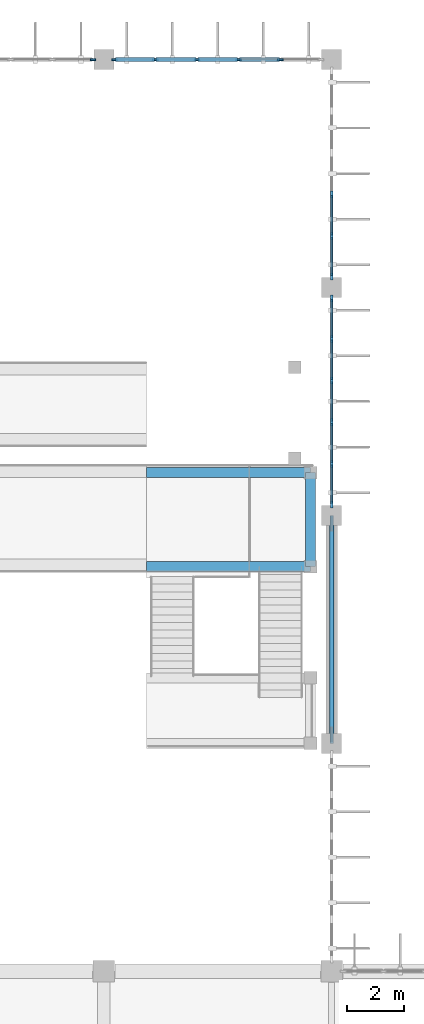
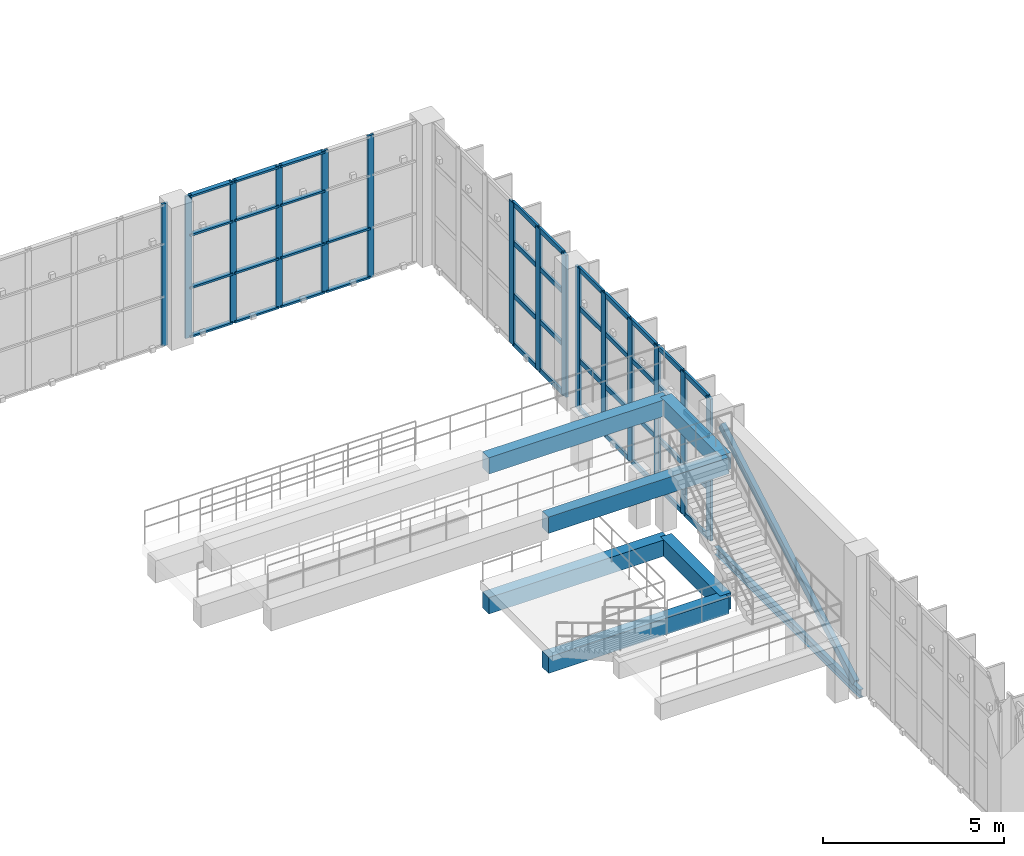
# One storey, part 34 of 93: 58 members, 7 beams, 4 elements without a shape of their own.
"""IFC4 building model written with IfcOpenShell, lengths in metres."""

from ifc_helpers import new_model, si_unit, direction, frame, origin, origin_2d, place, context, subcontext, project, spatial, rectangle, hollow_rectangle, i_section, extrude, material, layer, layer_set, material_profile, profile_set, type_object, element, aggregate, save


model = new_model("IFC4")

# Units and contexts
model_context = context("Model", 3, precision=1e-05, world=origin(), true_north=direction((0.0, 1.0)))
body_context = subcontext(model_context, "Body", "Model", "MODEL_VIEW")
ifc_project = project(units=[si_unit("LENGTHUNIT", "METRE"), si_unit("AREAUNIT", "SQUARE_METRE"), si_unit("VOLUMEUNIT", "CUBIC_METRE"), si_unit("PLANEANGLEUNIT", "RADIAN"), si_unit("MASSUNIT", "GRAM", prefix="KILO")], contexts=[model_context])

# Site, building, storey
site_placement = place(None, origin())
site = spatial("IfcSite", under=ifc_project, at=site_placement, CompositionType="ELEMENT")
building_placement = place(site_placement, origin())
building = spatial("IfcBuilding", under=site, at=building_placement, Name="Drelvana Railside Aquatics Centre", CompositionType="ELEMENT")
storey_placement = place(building_placement, frame((0.0, 0.0, 5.39990234375)))
storey = spatial("IfcBuildingStorey", under=building, at=storey_placement, Name="L01", CompositionType="ELEMENT", Elevation=5.39990234375)

# Curtain wall, member
ifc_material_1 = material(Name="Bronze-anodised aluminium curtain wall", Category="aluminium")
ifc_layer_1 = layer(ifc_material_1, 0.179931640625, Name="Bronze-anodised aluminium curtain wall")
ifc_layer_set_1 = layer_set([ifc_layer_1], Name="Bronze-anodised aluminium curtain wall")
curtain_wall_type_1 = type_object("IfcCurtainWallType", Name="CW-Z2-CLER", PredefinedType="NOTDEFINED", material=ifc_layer_set_1)
curtain_wall_1_placement = place(storey_placement, origin())
curtain_wall_1 = element("IfcCurtainWall", 1, at=curtain_wall_1_placement, inside=storey, type_object=curtain_wall_type_1, Name="Curtain wall CW-02-038", PredefinedType="NOTDEFINED")
ifc_material_2 = material(Name="Bronze-anodised aluminium 6063-T6", Category="aluminium")
ifc_material_profile_1 = material_profile(ifc_material_2, rectangle(XDim=0.070068359375, YDim=0.199951171875, at=origin_2d()), Name="ALU-M 70x200")
ifc_profile_set_1 = profile_set([ifc_material_profile_1], Name="Bronze-anodised aluminium 6063-T6")
member_type_1 = type_object("IfcMemberType", Name="CW-Z2-CLER-MUL", PredefinedType="MULLION", material=ifc_profile_set_1)
member_1_placement = place(storey_placement, frame((63.62109375, 116.0, -0.005859375), z_axis=(0.0, 0.0, 1.0), x_axis=(0.0, 1.0, 0.0)))
member_1 = element("IfcMember", 2, at=member_1_placement, type_object=member_type_1, Name="CW-02 mullion 6", PredefinedType="MULLION", context=body_context, shape_type="SweptSolid", body=[
    extrude(rectangle(XDim=0.070068359375, YDim=0.199951171875, at=origin_2d()), origin(), (0.0, 0.0, 1.0), 4.7958984375),
])
aggregate(curtain_wall_1, [member_1])

# Curtain wall, members
curtain_wall_2_placement = place(storey_placement, origin())
curtain_wall_2 = element("IfcCurtainWall", 3, at=curtain_wall_2_placement, inside=storey, type_object=curtain_wall_type_1, Name="Curtain wall CW-02-040", PredefinedType="NOTDEFINED")
member_2_placement = place(storey_placement, frame((64.37890625, 116.0, -0.005859375), z_axis=(0.0, 0.0, 1.0), x_axis=(0.0, 1.0, 0.0)))
member_2 = element("IfcMember", 4, at=member_2_placement, type_object=member_type_1, Name="CW-02 mullion 1", PredefinedType="MULLION", context=body_context, shape_type="SweptSolid", body=[
    extrude(rectangle(XDim=0.070068359375, YDim=0.199951171875, at=origin_2d()), origin(), (0.0, 0.0, 1.0), 4.7958984375),
])
member_3_placement = place(storey_placement, frame((65.806396484375, 116.0, -0.005859375), z_axis=(0.0, 0.0, 1.0), x_axis=(0.0, 1.0, 0.0)))
member_3 = element("IfcMember", 5, at=member_3_placement, type_object=member_type_1, Name="CW-02 mullion 2", PredefinedType="MULLION", context=body_context, shape_type="SweptSolid", body=[
    extrude(rectangle(XDim=0.070068359375, YDim=0.199951171875, at=origin_2d()), origin(), (0.0, 0.0, 1.0), 4.7958984375),
])
member_4_placement = place(storey_placement, frame((67.268798828125, 116.0, -0.005859375), z_axis=(0.0, 0.0, 1.0), x_axis=(0.0, 1.0, 0.0)))
member_4 = element("IfcMember", 6, at=member_4_placement, type_object=member_type_1, Name="CW-02 mullion 3", PredefinedType="MULLION", context=body_context, shape_type="SweptSolid", body=[
    extrude(rectangle(XDim=0.070068359375, YDim=0.199951171875, at=origin_2d()), origin(), (0.0, 0.0, 1.0), 4.7958984375),
])
member_5_placement = place(storey_placement, frame((68.731201171875, 116.0, -0.005859375), z_axis=(0.0, 0.0, 1.0), x_axis=(0.0, 1.0, 0.0)))
member_5 = element("IfcMember", 7, at=member_5_placement, type_object=member_type_1, Name="CW-02 mullion 4", PredefinedType="MULLION", context=body_context, shape_type="SweptSolid", body=[
    extrude(rectangle(XDim=0.070068359375, YDim=0.199951171875, at=origin_2d()), origin(), (0.0, 0.0, 1.0), 4.7958984375),
])
member_6_placement = place(storey_placement, frame((70.193603515625, 116.0, -0.005859375), z_axis=(0.0, 0.0, 1.0), x_axis=(0.0, 1.0, 0.0)))
member_6 = element("IfcMember", 8, at=member_6_placement, type_object=member_type_1, Name="CW-02 mullion 5", PredefinedType="MULLION", context=body_context, shape_type="SweptSolid", body=[
    extrude(rectangle(XDim=0.070068359375, YDim=0.199951171875, at=origin_2d()), origin(), (0.0, 0.0, 1.0), 4.7958984375),
])
ifc_material_profile_2 = material_profile(ifc_material_2, rectangle(XDim=0.139892578125, YDim=0.06494140625, at=origin_2d()), Name="ALU-T 65x140")
ifc_profile_set_2 = profile_set([ifc_material_profile_2], Name="Bronze-anodised aluminium 6063-T6")
member_type_2 = type_object("IfcMemberType", Name="CW-Z2-CLER-TRN", PredefinedType="USERDEFINED", material=ifc_profile_set_2)
member_7_placement = place(storey_placement, frame((64.408935546875, 116.0, 0.026611328125), z_axis=(1.0, 0.0, 0.0), x_axis=(0.0, 1.0, 0.0)))
member_7 = element("IfcMember", 9, at=member_7_placement, type_object=member_type_2, Name="CW-02 transom 1.1", ObjectType="TRANSOM", PredefinedType="USERDEFINED", context=body_context, shape_type="SweptSolid", body=[
    extrude(rectangle(XDim=0.139892578125, YDim=0.06494140625, at=origin_2d()), origin(), (0.0, 0.0, 1.0), 1.367431640625),
])
member_8_placement = place(storey_placement, frame((64.408935546875, 116.0, 1.673095703125), z_axis=(1.0, 0.0, 0.0), x_axis=(0.0, 1.0, 0.0)))
member_8 = element("IfcMember", 10, at=member_8_placement, type_object=member_type_2, Name="CW-02 transom 1.2", ObjectType="TRANSOM", PredefinedType="USERDEFINED", context=body_context, shape_type="SweptSolid", body=[
    extrude(rectangle(XDim=0.139892578125, YDim=0.06494140625, at=origin_2d()), origin(), (0.0, 0.0, 1.0), 1.367431640625),
])
member_9_placement = place(storey_placement, frame((64.408935546875, 116.0, 3.447021484375), z_axis=(1.0, 0.0, 0.0), x_axis=(0.0, 1.0, 0.0)))
member_9 = element("IfcMember", 11, at=member_9_placement, type_object=member_type_2, Name="CW-02 transom 1.3", ObjectType="TRANSOM", PredefinedType="USERDEFINED", context=body_context, shape_type="SweptSolid", body=[
    extrude(rectangle(XDim=0.139892578125, YDim=0.06494140625, at=origin_2d()), origin(), (0.0, 0.0, 1.0), 1.367431640625),
])
member_10_placement = place(storey_placement, frame((64.408935546875, 116.0, 4.757568359375), z_axis=(1.0, 0.0, 0.0), x_axis=(0.0, 1.0, 0.0)))
member_10 = element("IfcMember", 12, at=member_10_placement, type_object=member_type_2, Name="CW-02 transom 1.4", ObjectType="TRANSOM", PredefinedType="USERDEFINED", context=body_context, shape_type="SweptSolid", body=[
    extrude(rectangle(XDim=0.139892578125, YDim=0.06494140625, at=origin_2d()), origin(), (0.0, 0.0, 1.0), 1.367431640625),
])
member_11_placement = place(storey_placement, frame((65.83642578125, 116.0, 0.026611328125), z_axis=(1.0, 0.0, 0.0), x_axis=(0.0, 1.0, 0.0)))
member_11 = element("IfcMember", 13, at=member_11_placement, type_object=member_type_2, Name="CW-02 transom 2.1", ObjectType="TRANSOM", PredefinedType="USERDEFINED", context=body_context, shape_type="SweptSolid", body=[
    extrude(rectangle(XDim=0.139892578125, YDim=0.06494140625, at=origin_2d()), origin(), (0.0, 0.0, 1.0), 1.40234375),
])
member_12_placement = place(storey_placement, frame((65.83642578125, 116.0, 1.673095703125), z_axis=(1.0, 0.0, 0.0), x_axis=(0.0, 1.0, 0.0)))
member_12 = element("IfcMember", 14, at=member_12_placement, type_object=member_type_2, Name="CW-02 transom 2.2", ObjectType="TRANSOM", PredefinedType="USERDEFINED", context=body_context, shape_type="SweptSolid", body=[
    extrude(rectangle(XDim=0.139892578125, YDim=0.06494140625, at=origin_2d()), origin(), (0.0, 0.0, 1.0), 1.40234375),
])
member_13_placement = place(storey_placement, frame((65.83642578125, 116.0, 3.447021484375), z_axis=(1.0, 0.0, 0.0), x_axis=(0.0, 1.0, 0.0)))
member_13 = element("IfcMember", 15, at=member_13_placement, type_object=member_type_2, Name="CW-02 transom 2.3", ObjectType="TRANSOM", PredefinedType="USERDEFINED", context=body_context, shape_type="SweptSolid", body=[
    extrude(rectangle(XDim=0.139892578125, YDim=0.06494140625, at=origin_2d()), origin(), (0.0, 0.0, 1.0), 1.40234375),
])
member_14_placement = place(storey_placement, frame((65.83642578125, 116.0, 4.757568359375), z_axis=(1.0, 0.0, 0.0), x_axis=(0.0, 1.0, 0.0)))
member_14 = element("IfcMember", 16, at=member_14_placement, type_object=member_type_2, Name="CW-02 transom 2.4", ObjectType="TRANSOM", PredefinedType="USERDEFINED", context=body_context, shape_type="SweptSolid", body=[
    extrude(rectangle(XDim=0.139892578125, YDim=0.06494140625, at=origin_2d()), origin(), (0.0, 0.0, 1.0), 1.40234375),
])
member_15_placement = place(storey_placement, frame((67.298828125, 116.0, 0.026611328125), z_axis=(1.0, 0.0, 0.0), x_axis=(0.0, 1.0, 0.0)))
member_15 = element("IfcMember", 17, at=member_15_placement, type_object=member_type_2, Name="CW-02 transom 3.1", ObjectType="TRANSOM", PredefinedType="USERDEFINED", context=body_context, shape_type="SweptSolid", body=[
    extrude(rectangle(XDim=0.139892578125, YDim=0.06494140625, at=origin_2d()), origin(), (0.0, 0.0, 1.0), 1.40234375),
])
member_16_placement = place(storey_placement, frame((67.298828125, 116.0, 1.673095703125), z_axis=(1.0, 0.0, 0.0), x_axis=(0.0, 1.0, 0.0)))
member_16 = element("IfcMember", 18, at=member_16_placement, type_object=member_type_2, Name="CW-02 transom 3.2", ObjectType="TRANSOM", PredefinedType="USERDEFINED", context=body_context, shape_type="SweptSolid", body=[
    extrude(rectangle(XDim=0.139892578125, YDim=0.06494140625, at=origin_2d()), origin(), (0.0, 0.0, 1.0), 1.40234375),
])
member_17_placement = place(storey_placement, frame((67.298828125, 116.0, 3.447021484375), z_axis=(1.0, 0.0, 0.0), x_axis=(0.0, 1.0, 0.0)))
member_17 = element("IfcMember", 19, at=member_17_placement, type_object=member_type_2, Name="CW-02 transom 3.3", ObjectType="TRANSOM", PredefinedType="USERDEFINED", context=body_context, shape_type="SweptSolid", body=[
    extrude(rectangle(XDim=0.139892578125, YDim=0.06494140625, at=origin_2d()), origin(), (0.0, 0.0, 1.0), 1.40234375),
])
member_18_placement = place(storey_placement, frame((67.298828125, 116.0, 4.757568359375), z_axis=(1.0, 0.0, 0.0), x_axis=(0.0, 1.0, 0.0)))
member_18 = element("IfcMember", 20, at=member_18_placement, type_object=member_type_2, Name="CW-02 transom 3.4", ObjectType="TRANSOM", PredefinedType="USERDEFINED", context=body_context, shape_type="SweptSolid", body=[
    extrude(rectangle(XDim=0.139892578125, YDim=0.06494140625, at=origin_2d()), origin(), (0.0, 0.0, 1.0), 1.40234375),
])
member_19_placement = place(storey_placement, frame((68.76123046875, 116.0, 0.026611328125), z_axis=(1.0, 0.0, 0.0), x_axis=(0.0, 1.0, 0.0)))
member_19 = element("IfcMember", 21, at=member_19_placement, type_object=member_type_2, Name="CW-02 transom 4.1", ObjectType="TRANSOM", PredefinedType="USERDEFINED", context=body_context, shape_type="SweptSolid", body=[
    extrude(rectangle(XDim=0.139892578125, YDim=0.06494140625, at=origin_2d()), origin(), (0.0, 0.0, 1.0), 1.40234375),
])
member_20_placement = place(storey_placement, frame((68.76123046875, 116.0, 1.673095703125), z_axis=(1.0, 0.0, 0.0), x_axis=(0.0, 1.0, 0.0)))
member_20 = element("IfcMember", 22, at=member_20_placement, type_object=member_type_2, Name="CW-02 transom 4.2", ObjectType="TRANSOM", PredefinedType="USERDEFINED", context=body_context, shape_type="SweptSolid", body=[
    extrude(rectangle(XDim=0.139892578125, YDim=0.06494140625, at=origin_2d()), origin(), (0.0, 0.0, 1.0), 1.40234375),
])
aggregate(curtain_wall_2, [member_2, member_3, member_4, member_5, member_6, member_7, member_8, member_9, member_10, member_11, member_12, member_13, member_14, member_15, member_16, member_17, member_18, member_19, member_20])

ifc_layer_2 = layer(ifc_material_1, 0.2099609375, Name="Bronze-anodised aluminium curtain wall")
ifc_layer_set_2 = layer_set([ifc_layer_2], Name="Bronze-anodised aluminium curtain wall")
curtain_wall_type_2 = type_object("IfcCurtainWallType", Name="CW-Z7-DIVE", PredefinedType="NOTDEFINED", material=ifc_layer_set_2)
curtain_wall_3_placement = place(storey_placement, origin())
curtain_wall_3 = element("IfcCurtainWall", 23, at=curtain_wall_3_placement, inside=storey, type_object=curtain_wall_type_2, Name="Curtain wall CW-07-094", PredefinedType="NOTDEFINED")
ifc_material_profile_3 = material_profile(ifc_material_2, rectangle(XDim=0.080078125, YDim=0.25, at=origin_2d()), Name="ALU-M 80x250")
ifc_profile_set_3 = profile_set([ifc_material_profile_3], Name="Bronze-anodised aluminium 6063-T6")
member_type_3 = type_object("IfcMemberType", Name="CW-Z7-DIVE-MUL", PredefinedType="MULLION", material=ifc_profile_set_3)
member_21_placement = place(storey_placement, frame((72.0, 100.384033203125, -0.005859375), z_axis=(0.0, 0.0, 1.0), x_axis=(-1.0, 0.0, 0.0)))
member_21 = element("IfcMember", 24, at=member_21_placement, type_object=member_type_3, Name="CW-07 mullion 1", PredefinedType="MULLION", context=body_context, shape_type="SweptSolid", body=[
    extrude(rectangle(XDim=0.080078125, YDim=0.25, at=origin_2d()), origin(), (0.0, 0.0, 1.0), 4.7958984375),
])
member_22_placement = place(storey_placement, frame((72.0, 101.806396484375, -0.005859375), z_axis=(0.0, 0.0, 1.0), x_axis=(-1.0, 0.0, 0.0)))
member_22 = element("IfcMember", 25, at=member_22_placement, type_object=member_type_3, Name="CW-07 mullion 2", PredefinedType="MULLION", context=body_context, shape_type="SweptSolid", body=[
    extrude(rectangle(XDim=0.080078125, YDim=0.25, at=origin_2d()), origin(), (0.0, 0.0, 1.0), 4.7958984375),
])
member_23_placement = place(storey_placement, frame((72.0, 103.268798828125, -0.005859375), z_axis=(0.0, 0.0, 1.0), x_axis=(-1.0, 0.0, 0.0)))
member_23 = element("IfcMember", 26, at=member_23_placement, type_object=member_type_3, Name="CW-07 mullion 3", PredefinedType="MULLION", context=body_context, shape_type="SweptSolid", body=[
    extrude(rectangle(XDim=0.080078125, YDim=0.25, at=origin_2d()), origin(), (0.0, 0.0, 1.0), 4.7958984375),
])
member_24_placement = place(storey_placement, frame((72.0, 104.731201171875, -0.005859375), z_axis=(0.0, 0.0, 1.0), x_axis=(-1.0, 0.0, 0.0)))
member_24 = element("IfcMember", 27, at=member_24_placement, type_object=member_type_3, Name="CW-07 mullion 4", PredefinedType="MULLION", context=body_context, shape_type="SweptSolid", body=[
    extrude(rectangle(XDim=0.080078125, YDim=0.25, at=origin_2d()), origin(), (0.0, 0.0, 1.0), 4.7958984375),
])
member_25_placement = place(storey_placement, frame((72.0, 106.193603515625, -0.005859375), z_axis=(0.0, 0.0, 1.0), x_axis=(-1.0, 0.0, 0.0)))
member_25 = element("IfcMember", 28, at=member_25_placement, type_object=member_type_3, Name="CW-07 mullion 5", PredefinedType="MULLION", context=body_context, shape_type="SweptSolid", body=[
    extrude(rectangle(XDim=0.080078125, YDim=0.25, at=origin_2d()), origin(), (0.0, 0.0, 1.0), 4.7958984375),
])
member_26_placement = place(storey_placement, frame((72.0, 107.615966796875, -0.005859375), z_axis=(0.0, 0.0, 1.0), x_axis=(-1.0, 0.0, 0.0)))
member_26 = element("IfcMember", 29, at=member_26_placement, type_object=member_type_3, Name="CW-07 mullion 6", PredefinedType="MULLION", context=body_context, shape_type="SweptSolid", body=[
    extrude(rectangle(XDim=0.080078125, YDim=0.25, at=origin_2d()), origin(), (0.0, 0.0, 1.0), 4.7958984375),
])

curtain_wall_4_placement = place(storey_placement, origin())
curtain_wall_4 = element("IfcCurtainWall", 30, at=curtain_wall_4_placement, inside=storey, type_object=curtain_wall_type_2, Name="Curtain wall CW-07-097", PredefinedType="NOTDEFINED")
member_27_placement = place(storey_placement, frame((72.0, 108.384033203125, -0.005859375), z_axis=(0.0, 0.0, 1.0), x_axis=(-1.0, 0.0, 0.0)))
member_27 = element("IfcMember", 31, at=member_27_placement, type_object=member_type_3, Name="CW-07 mullion 1", PredefinedType="MULLION", context=body_context, shape_type="SweptSolid", body=[
    extrude(rectangle(XDim=0.080078125, YDim=0.25, at=origin_2d()), origin(), (0.0, 0.0, 1.0), 4.7958984375),
])
member_28_placement = place(storey_placement, frame((72.0, 109.806396484375, -0.005859375), z_axis=(0.0, 0.0, 1.0), x_axis=(-1.0, 0.0, 0.0)))
member_28 = element("IfcMember", 32, at=member_28_placement, type_object=member_type_3, Name="CW-07 mullion 2", PredefinedType="MULLION", context=body_context, shape_type="SweptSolid", body=[
    extrude(rectangle(XDim=0.080078125, YDim=0.25, at=origin_2d()), origin(), (0.0, 0.0, 1.0), 4.7958984375),
])
member_29_placement = place(storey_placement, frame((72.0, 111.268798828125, -0.005859375), z_axis=(0.0, 0.0, 1.0), x_axis=(-1.0, 0.0, 0.0)))
member_29 = element("IfcMember", 33, at=member_29_placement, type_object=member_type_3, Name="CW-07 mullion 3", PredefinedType="MULLION", context=body_context, shape_type="SweptSolid", body=[
    extrude(rectangle(XDim=0.080078125, YDim=0.25, at=origin_2d()), origin(), (0.0, 0.0, 1.0), 4.7958984375),
])

# Member
ifc_material_profile_4 = material_profile(ifc_material_2, rectangle(XDim=0.159912109375, YDim=0.070068359375, at=origin_2d()), Name="ALU-T 70x160")
ifc_profile_set_4 = profile_set([ifc_material_profile_4], Name="Bronze-anodised aluminium 6063-T6")
member_type_4 = type_object("IfcMemberType", Name="CW-Z7-DIVE-TRN", PredefinedType="USERDEFINED", material=ifc_profile_set_4)
member_30_placement = place(storey_placement, frame((72.0, 100.4189453125, 0.029052734375), z_axis=(0.0, 1.0, 0.0), x_axis=(0.0, 0.0, 1.0)))
member_30 = element("IfcMember", 34, at=member_30_placement, type_object=member_type_4, Name="CW-07 transom 1.1", ObjectType="TRANSOM", PredefinedType="USERDEFINED", context=body_context, shape_type="SweptSolid", body=[
    extrude(rectangle(XDim=0.159912109375, YDim=0.070068359375, at=origin_2d()), origin(), (0.0, 0.0, 1.0), 1.3525390625),
])

member_31_placement = place(storey_placement, frame((72.0, 100.4189453125, 1.673095703125), z_axis=(0.0, 1.0, 0.0), x_axis=(0.0, 0.0, 1.0)))
member_31 = element("IfcMember", 35, at=member_31_placement, type_object=member_type_4, Name="CW-07 transom 1.2", ObjectType="TRANSOM", PredefinedType="USERDEFINED", context=body_context, shape_type="SweptSolid", body=[
    extrude(rectangle(XDim=0.159912109375, YDim=0.070068359375, at=origin_2d()), origin(), (0.0, 0.0, 1.0), 1.3525390625),
])

member_32_placement = place(storey_placement, frame((72.0, 100.4189453125, 3.447021484375), z_axis=(0.0, 1.0, 0.0), x_axis=(0.0, 0.0, 1.0)))
member_32 = element("IfcMember", 36, at=member_32_placement, type_object=member_type_4, Name="CW-07 transom 1.3", ObjectType="TRANSOM", PredefinedType="USERDEFINED", context=body_context, shape_type="SweptSolid", body=[
    extrude(rectangle(XDim=0.159912109375, YDim=0.070068359375, at=origin_2d()), origin(), (0.0, 0.0, 1.0), 1.3525390625),
])

member_33_placement = place(storey_placement, frame((72.0, 100.4189453125, 4.755126953125), z_axis=(0.0, 1.0, 0.0), x_axis=(0.0, 0.0, 1.0)))
member_33 = element("IfcMember", 37, at=member_33_placement, type_object=member_type_4, Name="CW-07 transom 1.4", ObjectType="TRANSOM", PredefinedType="USERDEFINED", context=body_context, shape_type="SweptSolid", body=[
    extrude(rectangle(XDim=0.159912109375, YDim=0.070068359375, at=origin_2d()), origin(), (0.0, 0.0, 1.0), 1.3525390625),
])

member_34_placement = place(storey_placement, frame((72.0, 101.84130859375, 0.029052734375), z_axis=(0.0, 1.0, 0.0), x_axis=(0.0, 0.0, 1.0)))
member_34 = element("IfcMember", 38, at=member_34_placement, type_object=member_type_4, Name="CW-07 transom 2.1", ObjectType="TRANSOM", PredefinedType="USERDEFINED", context=body_context, shape_type="SweptSolid", body=[
    extrude(rectangle(XDim=0.159912109375, YDim=0.070068359375, at=origin_2d()), origin(), (0.0, 0.0, 1.0), 1.392578125),
])

member_35_placement = place(storey_placement, frame((72.0, 101.84130859375, 1.673095703125), z_axis=(0.0, 1.0, 0.0), x_axis=(0.0, 0.0, 1.0)))
member_35 = element("IfcMember", 39, at=member_35_placement, type_object=member_type_4, Name="CW-07 transom 2.2", ObjectType="TRANSOM", PredefinedType="USERDEFINED", context=body_context, shape_type="SweptSolid", body=[
    extrude(rectangle(XDim=0.159912109375, YDim=0.070068359375, at=origin_2d()), origin(), (0.0, 0.0, 1.0), 1.392578125),
])

member_36_placement = place(storey_placement, frame((72.0, 101.84130859375, 3.447021484375), z_axis=(0.0, 1.0, 0.0), x_axis=(0.0, 0.0, 1.0)))
member_36 = element("IfcMember", 40, at=member_36_placement, type_object=member_type_4, Name="CW-07 transom 2.3", ObjectType="TRANSOM", PredefinedType="USERDEFINED", context=body_context, shape_type="SweptSolid", body=[
    extrude(rectangle(XDim=0.159912109375, YDim=0.070068359375, at=origin_2d()), origin(), (0.0, 0.0, 1.0), 1.392578125),
])

member_37_placement = place(storey_placement, frame((72.0, 101.84130859375, 4.755126953125), z_axis=(0.0, 1.0, 0.0), x_axis=(0.0, 0.0, 1.0)))
member_37 = element("IfcMember", 41, at=member_37_placement, type_object=member_type_4, Name="CW-07 transom 2.4", ObjectType="TRANSOM", PredefinedType="USERDEFINED", context=body_context, shape_type="SweptSolid", body=[
    extrude(rectangle(XDim=0.159912109375, YDim=0.070068359375, at=origin_2d()), origin(), (0.0, 0.0, 1.0), 1.392578125),
])

member_38_placement = place(storey_placement, frame((72.0, 103.3037109375, 0.029052734375), z_axis=(0.0, 1.0, 0.0), x_axis=(0.0, 0.0, 1.0)))
member_38 = element("IfcMember", 42, at=member_38_placement, type_object=member_type_4, Name="CW-07 transom 3.1", ObjectType="TRANSOM", PredefinedType="USERDEFINED", context=body_context, shape_type="SweptSolid", body=[
    extrude(rectangle(XDim=0.159912109375, YDim=0.070068359375, at=origin_2d()), origin(), (0.0, 0.0, 1.0), 1.392578125),
])

member_39_placement = place(storey_placement, frame((72.0, 103.3037109375, 1.673095703125), z_axis=(0.0, 1.0, 0.0), x_axis=(0.0, 0.0, 1.0)))
member_39 = element("IfcMember", 43, at=member_39_placement, type_object=member_type_4, Name="CW-07 transom 3.2", ObjectType="TRANSOM", PredefinedType="USERDEFINED", context=body_context, shape_type="SweptSolid", body=[
    extrude(rectangle(XDim=0.159912109375, YDim=0.070068359375, at=origin_2d()), origin(), (0.0, 0.0, 1.0), 1.392578125),
])

member_40_placement = place(storey_placement, frame((72.0, 103.3037109375, 3.447021484375), z_axis=(0.0, 1.0, 0.0), x_axis=(0.0, 0.0, 1.0)))
member_40 = element("IfcMember", 44, at=member_40_placement, type_object=member_type_4, Name="CW-07 transom 3.3", ObjectType="TRANSOM", PredefinedType="USERDEFINED", context=body_context, shape_type="SweptSolid", body=[
    extrude(rectangle(XDim=0.159912109375, YDim=0.070068359375, at=origin_2d()), origin(), (0.0, 0.0, 1.0), 1.392578125),
])

member_41_placement = place(storey_placement, frame((72.0, 103.3037109375, 4.755126953125), z_axis=(0.0, 1.0, 0.0), x_axis=(0.0, 0.0, 1.0)))
member_41 = element("IfcMember", 45, at=member_41_placement, type_object=member_type_4, Name="CW-07 transom 3.4", ObjectType="TRANSOM", PredefinedType="USERDEFINED", context=body_context, shape_type="SweptSolid", body=[
    extrude(rectangle(XDim=0.159912109375, YDim=0.070068359375, at=origin_2d()), origin(), (0.0, 0.0, 1.0), 1.392578125),
])

member_42_placement = place(storey_placement, frame((72.0, 104.76611328125, 0.029052734375), z_axis=(0.0, 1.0, 0.0), x_axis=(0.0, 0.0, 1.0)))
member_42 = element("IfcMember", 46, at=member_42_placement, type_object=member_type_4, Name="CW-07 transom 4.1", ObjectType="TRANSOM", PredefinedType="USERDEFINED", context=body_context, shape_type="SweptSolid", body=[
    extrude(rectangle(XDim=0.159912109375, YDim=0.070068359375, at=origin_2d()), origin(), (0.0, 0.0, 1.0), 1.392578125),
])

member_43_placement = place(storey_placement, frame((72.0, 104.76611328125, 1.673095703125), z_axis=(0.0, 1.0, 0.0), x_axis=(0.0, 0.0, 1.0)))
member_43 = element("IfcMember", 47, at=member_43_placement, type_object=member_type_4, Name="CW-07 transom 4.2", ObjectType="TRANSOM", PredefinedType="USERDEFINED", context=body_context, shape_type="SweptSolid", body=[
    extrude(rectangle(XDim=0.159912109375, YDim=0.070068359375, at=origin_2d()), origin(), (0.0, 0.0, 1.0), 1.392578125),
])

member_44_placement = place(storey_placement, frame((72.0, 104.76611328125, 3.447021484375), z_axis=(0.0, 1.0, 0.0), x_axis=(0.0, 0.0, 1.0)))
member_44 = element("IfcMember", 48, at=member_44_placement, type_object=member_type_4, Name="CW-07 transom 4.3", ObjectType="TRANSOM", PredefinedType="USERDEFINED", context=body_context, shape_type="SweptSolid", body=[
    extrude(rectangle(XDim=0.159912109375, YDim=0.070068359375, at=origin_2d()), origin(), (0.0, 0.0, 1.0), 1.392578125),
])

member_45_placement = place(storey_placement, frame((72.0, 104.76611328125, 4.755126953125), z_axis=(0.0, 1.0, 0.0), x_axis=(0.0, 0.0, 1.0)))
member_45 = element("IfcMember", 49, at=member_45_placement, type_object=member_type_4, Name="CW-07 transom 4.4", ObjectType="TRANSOM", PredefinedType="USERDEFINED", context=body_context, shape_type="SweptSolid", body=[
    extrude(rectangle(XDim=0.159912109375, YDim=0.070068359375, at=origin_2d()), origin(), (0.0, 0.0, 1.0), 1.392578125),
])

member_46_placement = place(storey_placement, frame((72.0, 106.228515625, 0.029052734375), z_axis=(0.0, 1.0, 0.0), x_axis=(0.0, 0.0, 1.0)))
member_46 = element("IfcMember", 50, at=member_46_placement, type_object=member_type_4, Name="CW-07 transom 5.1", ObjectType="TRANSOM", PredefinedType="USERDEFINED", context=body_context, shape_type="SweptSolid", body=[
    extrude(rectangle(XDim=0.159912109375, YDim=0.070068359375, at=origin_2d()), origin(), (0.0, 0.0, 1.0), 1.3525390625),
])

member_47_placement = place(storey_placement, frame((72.0, 106.228515625, 1.673095703125), z_axis=(0.0, 1.0, 0.0), x_axis=(0.0, 0.0, 1.0)))
member_47 = element("IfcMember", 51, at=member_47_placement, type_object=member_type_4, Name="CW-07 transom 5.2", ObjectType="TRANSOM", PredefinedType="USERDEFINED", context=body_context, shape_type="SweptSolid", body=[
    extrude(rectangle(XDim=0.159912109375, YDim=0.070068359375, at=origin_2d()), origin(), (0.0, 0.0, 1.0), 1.3525390625),
])

member_48_placement = place(storey_placement, frame((72.0, 106.228515625, 3.447021484375), z_axis=(0.0, 1.0, 0.0), x_axis=(0.0, 0.0, 1.0)))
member_48 = element("IfcMember", 52, at=member_48_placement, type_object=member_type_4, Name="CW-07 transom 5.3", ObjectType="TRANSOM", PredefinedType="USERDEFINED", context=body_context, shape_type="SweptSolid", body=[
    extrude(rectangle(XDim=0.159912109375, YDim=0.070068359375, at=origin_2d()), origin(), (0.0, 0.0, 1.0), 1.3525390625),
])

member_49_placement = place(storey_placement, frame((72.0, 106.228515625, 4.755126953125), z_axis=(0.0, 1.0, 0.0), x_axis=(0.0, 0.0, 1.0)))
member_49 = element("IfcMember", 53, at=member_49_placement, type_object=member_type_4, Name="CW-07 transom 5.4", ObjectType="TRANSOM", PredefinedType="USERDEFINED", context=body_context, shape_type="SweptSolid", body=[
    extrude(rectangle(XDim=0.159912109375, YDim=0.070068359375, at=origin_2d()), origin(), (0.0, 0.0, 1.0), 1.3525390625),
])

aggregate(curtain_wall_3, [member_21, member_22, member_23, member_24, member_25, member_26, member_30, member_31, member_32, member_33, member_34, member_35, member_36, member_37, member_38, member_39, member_40, member_41, member_42, member_43, member_44, member_45, member_46, member_47, member_48, member_49])

member_50_placement = place(storey_placement, frame((72.0, 108.4189453125, 0.029052734375), z_axis=(0.0, 1.0, 0.0), x_axis=(0.0, 0.0, 1.0)))
member_50 = element("IfcMember", 54, at=member_50_placement, type_object=member_type_4, Name="CW-07 transom 1.1", ObjectType="TRANSOM", PredefinedType="USERDEFINED", context=body_context, shape_type="SweptSolid", body=[
    extrude(rectangle(XDim=0.159912109375, YDim=0.070068359375, at=origin_2d()), origin(), (0.0, 0.0, 1.0), 1.3525390625),
])

member_51_placement = place(storey_placement, frame((72.0, 108.4189453125, 1.673095703125), z_axis=(0.0, 1.0, 0.0), x_axis=(0.0, 0.0, 1.0)))
member_51 = element("IfcMember", 55, at=member_51_placement, type_object=member_type_4, Name="CW-07 transom 1.2", ObjectType="TRANSOM", PredefinedType="USERDEFINED", context=body_context, shape_type="SweptSolid", body=[
    extrude(rectangle(XDim=0.159912109375, YDim=0.070068359375, at=origin_2d()), origin(), (0.0, 0.0, 1.0), 1.3525390625),
])

member_52_placement = place(storey_placement, frame((72.0, 108.4189453125, 3.447021484375), z_axis=(0.0, 1.0, 0.0), x_axis=(0.0, 0.0, 1.0)))
member_52 = element("IfcMember", 56, at=member_52_placement, type_object=member_type_4, Name="CW-07 transom 1.3", ObjectType="TRANSOM", PredefinedType="USERDEFINED", context=body_context, shape_type="SweptSolid", body=[
    extrude(rectangle(XDim=0.159912109375, YDim=0.070068359375, at=origin_2d()), origin(), (0.0, 0.0, 1.0), 1.3525390625),
])

member_53_placement = place(storey_placement, frame((72.0, 108.4189453125, 4.755126953125), z_axis=(0.0, 1.0, 0.0), x_axis=(0.0, 0.0, 1.0)))
member_53 = element("IfcMember", 57, at=member_53_placement, type_object=member_type_4, Name="CW-07 transom 1.4", ObjectType="TRANSOM", PredefinedType="USERDEFINED", context=body_context, shape_type="SweptSolid", body=[
    extrude(rectangle(XDim=0.159912109375, YDim=0.070068359375, at=origin_2d()), origin(), (0.0, 0.0, 1.0), 1.3525390625),
])

member_54_placement = place(storey_placement, frame((72.0, 109.84130859375, 0.029052734375), z_axis=(0.0, 1.0, 0.0), x_axis=(0.0, 0.0, 1.0)))
member_54 = element("IfcMember", 58, at=member_54_placement, type_object=member_type_4, Name="CW-07 transom 2.1", ObjectType="TRANSOM", PredefinedType="USERDEFINED", context=body_context, shape_type="SweptSolid", body=[
    extrude(rectangle(XDim=0.159912109375, YDim=0.070068359375, at=origin_2d()), origin(), (0.0, 0.0, 1.0), 1.392578125),
])

member_55_placement = place(storey_placement, frame((72.0, 109.84130859375, 1.673095703125), z_axis=(0.0, 1.0, 0.0), x_axis=(0.0, 0.0, 1.0)))
member_55 = element("IfcMember", 59, at=member_55_placement, type_object=member_type_4, Name="CW-07 transom 2.2", ObjectType="TRANSOM", PredefinedType="USERDEFINED", context=body_context, shape_type="SweptSolid", body=[
    extrude(rectangle(XDim=0.159912109375, YDim=0.070068359375, at=origin_2d()), origin(), (0.0, 0.0, 1.0), 1.392578125),
])

member_56_placement = place(storey_placement, frame((72.0, 109.84130859375, 3.447021484375), z_axis=(0.0, 1.0, 0.0), x_axis=(0.0, 0.0, 1.0)))
member_56 = element("IfcMember", 60, at=member_56_placement, type_object=member_type_4, Name="CW-07 transom 2.3", ObjectType="TRANSOM", PredefinedType="USERDEFINED", context=body_context, shape_type="SweptSolid", body=[
    extrude(rectangle(XDim=0.159912109375, YDim=0.070068359375, at=origin_2d()), origin(), (0.0, 0.0, 1.0), 1.392578125),
])

member_57_placement = place(storey_placement, frame((72.0, 109.84130859375, 4.755126953125), z_axis=(0.0, 1.0, 0.0), x_axis=(0.0, 0.0, 1.0)))
member_57 = element("IfcMember", 61, at=member_57_placement, type_object=member_type_4, Name="CW-07 transom 2.4", ObjectType="TRANSOM", PredefinedType="USERDEFINED", context=body_context, shape_type="SweptSolid", body=[
    extrude(rectangle(XDim=0.159912109375, YDim=0.070068359375, at=origin_2d()), origin(), (0.0, 0.0, 1.0), 1.392578125),
])

aggregate(curtain_wall_4, [member_27, member_28, member_29, member_50, member_51, member_52, member_53, member_54, member_55, member_56, member_57])

# Beams
ifc_material_3 = material(Name="Concrete C40/50", Category="concrete")
ifc_material_profile_5 = material_profile(ifc_material_3, rectangle(XDim=0.35009765625, YDim=0.550048828125, at=origin_2d()), Name="RC 350x550")
ifc_profile_set_5 = profile_set([ifc_material_profile_5], Name="Concrete C40/50")
beam_type_1 = type_object("IfcBeamType", Name="STR-BM-BM-01-RC-350x550", PredefinedType="BEAM", material=ifc_profile_set_5)
beam_1_placement = place(storey_placement, frame((71.25, 98.199951171875, -0.56494140625), z_axis=(0.0, 1.0, 0.0), x_axis=(-1.0, 0.0, 0.0)))
element("IfcBeam", 62, at=beam_1_placement, inside=storey, type_object=beam_type_1, Name="Diving stair landing beam 4", PredefinedType="BEAM", context=body_context, shape_type="SweptSolid", body=[
    extrude(rectangle(XDim=0.35009765625, YDim=0.550048828125, at=origin_2d()), origin(), (0.0, 0.0, 1.0), 3.300048828125),
])
for number, where, z_axis, x_axis, name in (
    (63, (65.5, 98.199951171875, -0.56494140625), (1.0, 0.0, 0.0), (0.0, 1.0, 0.0), "Diving stair landing beam 5"),
    (64, (65.5, 101.5, -0.56494140625), (1.0, 0.0, 0.0), (0.0, 1.0, 0.0), "Diving stair landing beam 6"),
):
    element("IfcBeam", number, at=place(storey_placement, frame(where, z_axis=z_axis, x_axis=x_axis)), inside=storey, type_object=beam_type_1, Name=name, PredefinedType="BEAM", context=body_context, shape_type="SweptSolid", body=[
        extrude(rectangle(XDim=0.35009765625, YDim=0.550048828125, at=origin_2d()), origin(), (0.0, 0.0, 1.0), 5.75),
    ])
beam_2_placement = place(storey_placement, frame((71.25, 98.199951171875, 4.155029296875), z_axis=(0.0, 1.0, 0.0), x_axis=(-1.0, 0.0, 0.0)))
element("IfcBeam", 65, at=beam_2_placement, inside=storey, type_object=beam_type_1, Name="Diving stair landing beam 10", PredefinedType="BEAM", context=body_context, shape_type="SweptSolid", body=[
    extrude(rectangle(XDim=0.35009765625, YDim=0.550048828125, at=origin_2d()), origin(), (0.0, 0.0, 1.0), 3.300048828125),
])
for number, where, z_axis, x_axis, name in (
    (66, (65.5, 98.199951171875, 4.155029296875), (1.0, 0.0, 0.0), (0.0, 1.0, 0.0), "Diving stair landing beam 11"),
    (67, (65.5, 101.5, 4.155029296875), (1.0, 0.0, 0.0), (0.0, 1.0, 0.0), "Diving stair landing beam 12"),
):
    element("IfcBeam", number, at=place(storey_placement, frame(where, z_axis=z_axis, x_axis=x_axis)), inside=storey, type_object=beam_type_1, Name=name, PredefinedType="BEAM", context=body_context, shape_type="SweptSolid", body=[
        extrude(rectangle(XDim=0.35009765625, YDim=0.550048828125, at=origin_2d()), origin(), (0.0, 0.0, 1.0), 5.75),
    ])

# Member
ifc_material_4 = material(Name="Structural steel S355", Category="steel")
ifc_material_profile_6 = material_profile(ifc_material_4, hollow_rectangle(XDim=0.14990234375, YDim=0.25, WallThickness=0.010009765625, at=origin_2d()), Name="RHS 250x150x10")
ifc_profile_set_6 = profile_set([ifc_material_profile_6], Name="Structural steel S355")
member_type_5 = type_object("IfcMemberType", Name="STR-MBR-BR-05", PredefinedType="BRACE", material=ifc_profile_set_6)
member_58_placement = place(storey_placement, frame((72.0, 92.300048828125, 0.050048828125), z_axis=(0.0, 0.869685582334, 0.493606106001), x_axis=(-1.0, 0.0, 0.0)))
element("IfcMember", 68, at=member_58_placement, inside=storey, type_object=member_type_5, Name="Lateral frame brace BR-06 (L01)", PredefinedType="BRACE", context=body_context, shape_type="SweptSolid", body=[
    extrude(hollow_rectangle(XDim=0.14990234375, YDim=0.25, WallThickness=0.010009765625, at=origin_2d()), origin(), (0.0, 0.0, 1.0), 8.5087890625),
])

# Beam
ifc_material_profile_7 = material_profile(ifc_material_4, i_section(OverallWidth=0.135009765625, OverallDepth=0.27001953125, WebThickness=0.006591796875, FlangeThickness=0.01025390625, at=origin_2d()), Name="IPE 270")
ifc_profile_set_7 = profile_set([ifc_material_profile_7], Name="Structural steel S355")
beam_type_2 = type_object("IfcBeamType", Name="STR-SBM-SJ-02-IPE-270", PredefinedType="JOIST", material=ifc_profile_set_7)
beam_3_placement = place(storey_placement, frame((72.0, 92.0, -0.135009765625), z_axis=(0.0, 1.0, 0.0), x_axis=(-1.0, 0.0, 0.0)))
element("IfcBeam", 69, at=beam_3_placement, inside=storey, type_object=beam_type_2, Name="Diving Hall East L01 braced girt 92", PredefinedType="JOIST", context=body_context, shape_type="SweptSolid", body=[
    extrude(i_section(OverallWidth=0.135009765625, OverallDepth=0.27001953125, WebThickness=0.006591796875, FlangeThickness=0.01025390625, at=origin_2d()), origin(), (0.0, 0.0, 1.0), 8.0),
])

save(model, "model.ifc")
